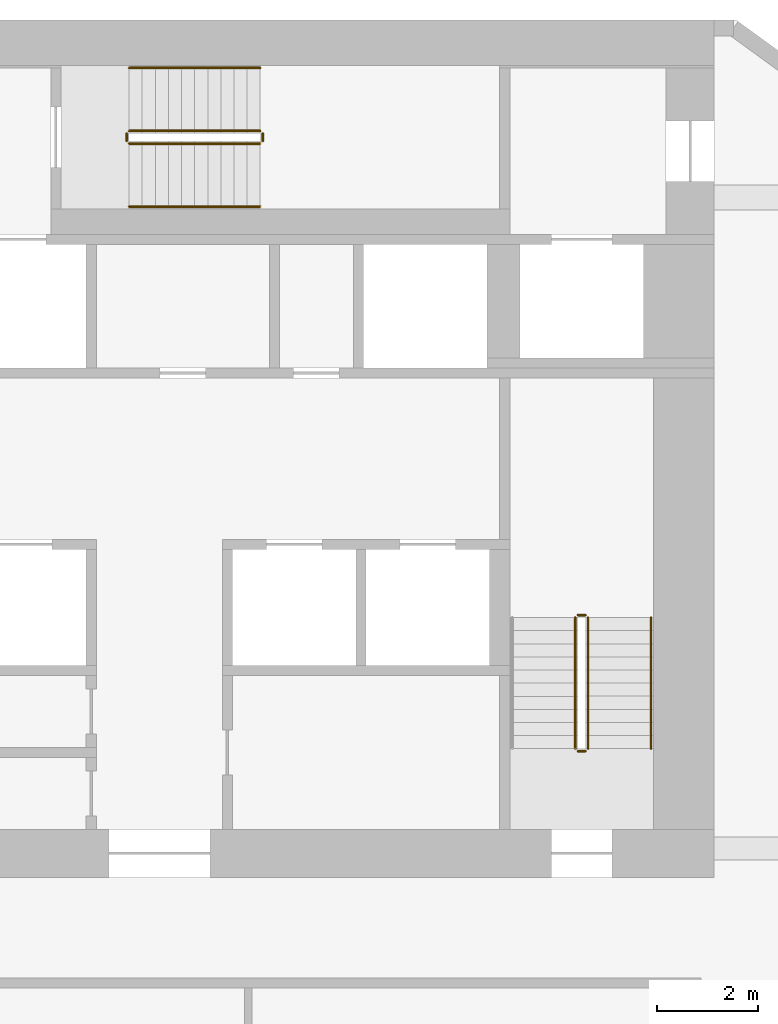
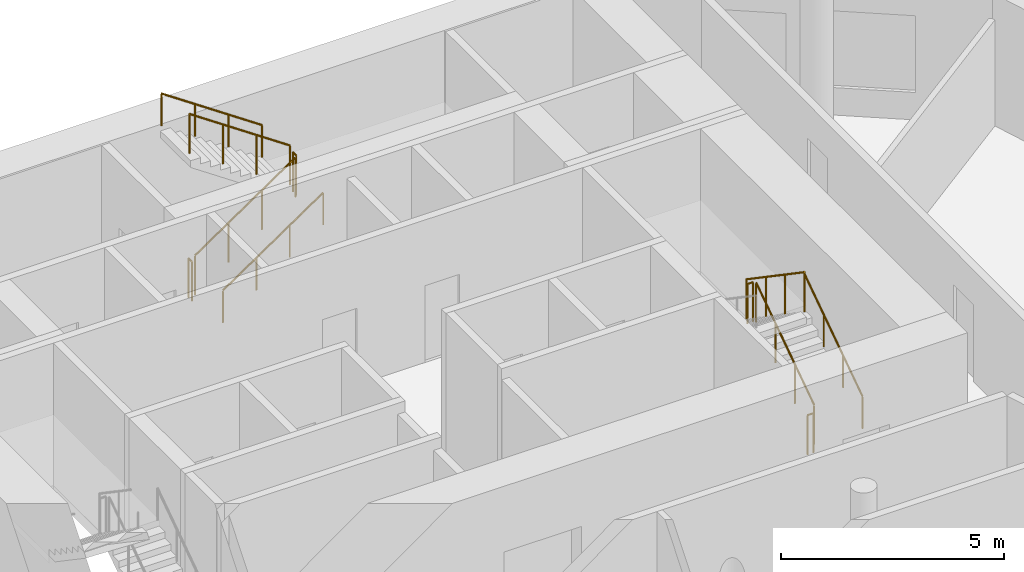
# One storey, part 9 of 9: 11 railings.
"""IFC4 building model written with IfcOpenShell, lengths in metres."""

from ifc_helpers import new_model, si_unit, direction, frame, origin, origin_2d, place, context, subcontext, project, spatial, circle, extrude, material, type_object, element, save


model = new_model("IFC4")

# Units and contexts
model_context = context("Model", 3, precision=1e-05, world=origin(), true_north=direction((0.0, 1.0)))
body_context = subcontext(model_context, "Body", "Model", "MODEL_VIEW")
ifc_project = project(units=[si_unit("LENGTHUNIT", "METRE"), si_unit("AREAUNIT", "SQUARE_METRE"), si_unit("VOLUMEUNIT", "CUBIC_METRE"), si_unit("PLANEANGLEUNIT", "RADIAN"), si_unit("MASSUNIT", "GRAM", prefix="KILO")], contexts=[model_context])

# Site, building, storey
site_placement = place(None, origin())
site = spatial("IfcSite", under=ifc_project, at=site_placement, CompositionType="ELEMENT")
building_placement = place(site_placement, origin())
building = spatial("IfcBuilding", under=site, at=building_placement, Name="White Candle Pilgrim Tower", CompositionType="ELEMENT")
storey_placement = place(building_placement, frame((0.0, 0.0, 175.89990234375)))
storey = spatial("IfcBuildingStorey", under=building, at=storey_placement, Name="L40", CompositionType="ELEMENT", Elevation=175.89990234375)

# Railings
ifc_material = material(Name="Stainless steel", Category="steel")
railing_type_1 = type_object("IfcRailingType", Name="Stair guard stainless steel 1100 mm", PredefinedType="GUARDRAIL", material=ifc_material)
railing_1_placement = place(storey_placement, frame((78.5, 73.550048828125, 0.177490234375)))
element("IfcRailing", 1, at=railing_1_placement, inside=storey, type_object=railing_type_1, Name="L40 ST2 stair guard 1", PredefinedType="GUARDRAIL", context=body_context, shape_type="SweptSolid", body=[
    extrude(circle(Radius=0.02392578125, at=origin_2d()), frame((0.0, 0.0, 1.076171875), z_axis=(0.0, 0.826215852431, 0.563353676824), x_axis=(-1.0, 0.0, 0.0)), (0.0, 0.0, 1.0), 3.146728515625),
    extrude(circle(Radius=0.02099609375, at=origin_2d()), origin(), (0.0, 0.0, 1.0), 1.052001953125),
    extrude(circle(Radius=0.02099609375, at=origin_2d()), frame((0.0, 0.86669921875, 0.5908203125)), (0.0, 0.0, 1.0), 1.052001953125),
    extrude(circle(Radius=0.02099609375, at=origin_2d()), frame((0.0, 1.733154296875, 1.181884765625)), (0.0, 0.0, 1.0), 1.052001953125),
    extrude(circle(Radius=0.02099609375, at=origin_2d()), frame((0.0, 2.599853515625, 1.772705078125)), (0.0, 0.0, 1.0), 1.052001953125),
])
railing_2_placement = place(storey_placement, frame((78.449951171875, 76.199951171875, 1.9501953125)))
element("IfcRailing", 2, at=railing_2_placement, inside=storey, type_object=railing_type_1, Name="L40 ST2 stair guard 2", PredefinedType="GUARDRAIL", context=body_context, shape_type="SweptSolid", body=[
    extrude(circle(Radius=0.02392578125, at=origin_2d()), frame((0.0, 0.0, 1.076171875), z_axis=(-1.0, 0.0, 0.0), x_axis=(0.0, -1.0, 0.0)), (0.0, 0.0, 1.0), 0.14990234375),
    extrude(circle(Radius=0.02099609375, at=origin_2d()), origin(), (0.0, 0.0, 1.0), 1.052001953125),
    extrude(circle(Radius=0.02099609375, at=origin_2d()), frame((-0.14990234375, 0.0, 0.0)), (0.0, 0.0, 1.0), 1.052001953125),
])
railing_3_placement = place(storey_placement, frame((78.25, 76.14990234375, 2.12744140625)))
element("IfcRailing", 3, at=railing_3_placement, inside=storey, type_object=railing_type_1, Name="L40 ST2 stair guard 3", PredefinedType="GUARDRAIL", context=body_context, shape_type="SweptSolid", body=[
    extrude(circle(Radius=0.02392578125, at=origin_2d()), frame((0.0, 0.0, 1.076171875), z_axis=(0.0, -0.826215852431, 0.563353676824), x_axis=(1.0, 0.0, 0.0)), (0.0, 0.0, 1.0), 3.146728515625),
    extrude(circle(Radius=0.02099609375, at=origin_2d()), origin(), (0.0, 0.0, 1.0), 1.052001953125),
    extrude(circle(Radius=0.02099609375, at=origin_2d()), frame((0.0, -0.86669921875, 0.5908203125)), (0.0, 0.0, 1.0), 1.052001953125),
    extrude(circle(Radius=0.02099609375, at=origin_2d()), frame((0.0, -1.733154296875, 1.181884765625)), (0.0, 0.0, 1.0), 1.052001953125),
    extrude(circle(Radius=0.02099609375, at=origin_2d()), frame((0.0, -2.599853515625, 1.772705078125)), (0.0, 0.0, 1.0), 1.052001953125),
])
railing_4_placement = place(storey_placement, frame((78.449951171875, 73.5, 0.0)))
element("IfcRailing", 4, at=railing_4_placement, inside=storey, type_object=railing_type_1, Name="L40 ST2 stair guard 4", PredefinedType="GUARDRAIL", context=body_context, shape_type="SweptSolid", body=[
    extrude(circle(Radius=0.02392578125, at=origin_2d()), frame((0.0, 0.0, 1.076171875), z_axis=(-1.0, 0.0, 0.0), x_axis=(0.0, -1.0, 0.0)), (0.0, 0.0, 1.0), 0.14990234375),
    extrude(circle(Radius=0.02099609375, at=origin_2d()), origin(), (0.0, 0.0, 1.0), 1.052001953125),
    extrude(circle(Radius=0.02099609375, at=origin_2d()), frame((-0.14990234375, 0.0, 0.0)), (0.0, 0.0, 1.0), 1.052001953125),
])
railing_5_placement = place(storey_placement, frame((69.39990234375, 85.550048828125, 0.177490234375)))
element("IfcRailing", 5, at=railing_5_placement, inside=storey, type_object=railing_type_1, Name="L40 ST3 stair guard 1", PredefinedType="GUARDRAIL", context=body_context, shape_type="SweptSolid", body=[
    extrude(circle(Radius=0.02392578125, at=origin_2d()), frame((0.0, 0.0, 1.076171875), z_axis=(0.826240473404, 0.0, 0.563317565952), x_axis=(0.0, 1.0, 0.0)), (0.0, 0.0, 1.0), 3.14697265625),
    extrude(circle(Radius=0.02099609375, at=origin_2d()), origin(), (0.0, 0.0, 1.0), 1.052001953125),
    extrude(circle(Radius=0.02099609375, at=origin_2d()), frame((0.86669921875, 0.0, 0.5908203125)), (0.0, 0.0, 1.0), 1.052001953125),
    extrude(circle(Radius=0.02099609375, at=origin_2d()), frame((1.7333984375, 0.0, 1.181884765625)), (0.0, 0.0, 1.0), 1.052001953125),
    extrude(circle(Radius=0.02099609375, at=origin_2d()), frame((2.60009765625, 0.0, 1.772705078125)), (0.0, 0.0, 1.0), 1.052001953125),
])
railing_6_placement = place(storey_placement, frame((72.050048828125, 85.60009765625, 1.9501953125)))
element("IfcRailing", 6, at=railing_6_placement, inside=storey, type_object=railing_type_1, Name="L40 ST3 stair guard 2", PredefinedType="GUARDRAIL", context=body_context, shape_type="SweptSolid", body=[
    extrude(circle(Radius=0.02392578125, at=origin_2d()), frame((0.0, 0.0, 1.076171875), z_axis=(0.0, 1.0, 0.0), x_axis=(-1.0, 0.0, 0.0)), (0.0, 0.0, 1.0), 0.14990234375),
    extrude(circle(Radius=0.02099609375, at=origin_2d()), origin(), (0.0, 0.0, 1.0), 1.052001953125),
    extrude(circle(Radius=0.02099609375, at=origin_2d()), frame((0.0, 0.14990234375, 0.0)), (0.0, 0.0, 1.0), 1.052001953125),
])
railing_7_placement = place(storey_placement, frame((72.0, 85.800048828125, 2.12744140625)))
element("IfcRailing", 7, at=railing_7_placement, inside=storey, type_object=railing_type_1, Name="L40 ST3 stair guard 3", PredefinedType="GUARDRAIL", context=body_context, shape_type="SweptSolid", body=[
    extrude(circle(Radius=0.02392578125, at=origin_2d()), frame((0.0, 0.0, 1.076171875), z_axis=(-0.826240473404, 0.0, 0.563317565952), x_axis=(0.0, -1.0, 0.0)), (0.0, 0.0, 1.0), 3.14697265625),
    extrude(circle(Radius=0.02099609375, at=origin_2d()), origin(), (0.0, 0.0, 1.0), 1.052001953125),
    extrude(circle(Radius=0.02099609375, at=origin_2d()), frame((-0.86669921875, 0.0, 0.5908203125)), (0.0, 0.0, 1.0), 1.052001953125),
    extrude(circle(Radius=0.02099609375, at=origin_2d()), frame((-1.7333984375, 0.0, 1.181884765625)), (0.0, 0.0, 1.0), 1.052001953125),
    extrude(circle(Radius=0.02099609375, at=origin_2d()), frame((-2.60009765625, 0.0, 1.772705078125)), (0.0, 0.0, 1.0), 1.052001953125),
])
railing_8_placement = place(storey_placement, frame((69.35009765625, 85.60009765625, 0.0)))
element("IfcRailing", 8, at=railing_8_placement, inside=storey, type_object=railing_type_1, Name="L40 ST3 stair guard 4", PredefinedType="GUARDRAIL", context=body_context, shape_type="SweptSolid", body=[
    extrude(circle(Radius=0.02392578125, at=origin_2d()), frame((0.0, 0.0, 1.076171875), z_axis=(0.0, 1.0, 0.0), x_axis=(-1.0, 0.0, 0.0)), (0.0, 0.0, 1.0), 0.14990234375),
    extrude(circle(Radius=0.02099609375, at=origin_2d()), origin(), (0.0, 0.0, 1.0), 1.052001953125),
    extrude(circle(Radius=0.02099609375, at=origin_2d()), frame((0.0, 0.14990234375, 0.0)), (0.0, 0.0, 1.0), 1.052001953125),
])
railing_type_2 = type_object("IfcRailingType", Name="Stair handrail stainless steel", PredefinedType="HANDRAIL", material=ifc_material)
railing_9_placement = place(storey_placement, frame((79.75, 73.550048828125, 0.177490234375)))
element("IfcRailing", 9, at=railing_9_placement, inside=storey, type_object=railing_type_2, Name="L40 ST2 stair handrail 1", PredefinedType="HANDRAIL", context=body_context, shape_type="SweptSolid", body=[
    extrude(circle(Radius=0.02392578125, at=origin_2d()), frame((0.0, 0.0, 0.8759765625), z_axis=(0.0, 0.826215852431, 0.563353676824), x_axis=(-1.0, 0.0, 0.0)), (0.0, 0.0, 1.0), 3.146728515625),
    extrude(circle(Radius=0.02099609375, at=origin_2d()), origin(), (0.0, 0.0, 1.0), 0.851806640625),
    extrude(circle(Radius=0.02099609375, at=origin_2d()), frame((0.0, 0.86669921875, 0.5908203125)), (0.0, 0.0, 1.0), 0.851806640625),
    extrude(circle(Radius=0.02099609375, at=origin_2d()), frame((0.0, 1.733154296875, 1.181884765625)), (0.0, 0.0, 1.0), 0.851806640625),
    extrude(circle(Radius=0.02099609375, at=origin_2d()), frame((0.0, 2.599853515625, 1.772705078125)), (0.0, 0.0, 1.0), 0.851806640625),
])
railing_10_placement = place(storey_placement, frame((69.39990234375, 84.300048828125, 0.177490234375)))
element("IfcRailing", 10, at=railing_10_placement, inside=storey, type_object=railing_type_2, Name="L40 ST3 stair handrail 1", PredefinedType="HANDRAIL", context=body_context, shape_type="SweptSolid", body=[
    extrude(circle(Radius=0.02392578125, at=origin_2d()), frame((0.0, 0.0, 0.8759765625), z_axis=(0.826240473404, 0.0, 0.563317565952), x_axis=(0.0, 1.0, 0.0)), (0.0, 0.0, 1.0), 3.14697265625),
    extrude(circle(Radius=0.02099609375, at=origin_2d()), origin(), (0.0, 0.0, 1.0), 0.851806640625),
    extrude(circle(Radius=0.02099609375, at=origin_2d()), frame((0.86669921875, 0.0, 0.5908203125)), (0.0, 0.0, 1.0), 0.851806640625),
    extrude(circle(Radius=0.02099609375, at=origin_2d()), frame((1.7333984375, 0.0, 1.181884765625)), (0.0, 0.0, 1.0), 0.851806640625),
    extrude(circle(Radius=0.02099609375, at=origin_2d()), frame((2.60009765625, 0.0, 1.772705078125)), (0.0, 0.0, 1.0), 0.851806640625),
])
railing_11_placement = place(storey_placement, frame((72.0, 87.050048828125, 2.12744140625)))
element("IfcRailing", 11, at=railing_11_placement, inside=storey, type_object=railing_type_2, Name="L40 ST3 stair handrail 2", PredefinedType="HANDRAIL", context=body_context, shape_type="SweptSolid", body=[
    extrude(circle(Radius=0.02392578125, at=origin_2d()), frame((0.0, 0.0, 0.8759765625), z_axis=(-0.826240473404, 0.0, 0.563317565952), x_axis=(0.0, -1.0, 0.0)), (0.0, 0.0, 1.0), 3.14697265625),
    extrude(circle(Radius=0.02099609375, at=origin_2d()), origin(), (0.0, 0.0, 1.0), 0.851806640625),
    extrude(circle(Radius=0.02099609375, at=origin_2d()), frame((-0.86669921875, 0.0, 0.5908203125)), (0.0, 0.0, 1.0), 0.851806640625),
    extrude(circle(Radius=0.02099609375, at=origin_2d()), frame((-1.7333984375, 0.0, 1.181884765625)), (0.0, 0.0, 1.0), 0.851806640625),
    extrude(circle(Radius=0.02099609375, at=origin_2d()), frame((-2.60009765625, 0.0, 1.772705078125)), (0.0, 0.0, 1.0), 0.851806640625),
])

save(model, "model.ifc")
